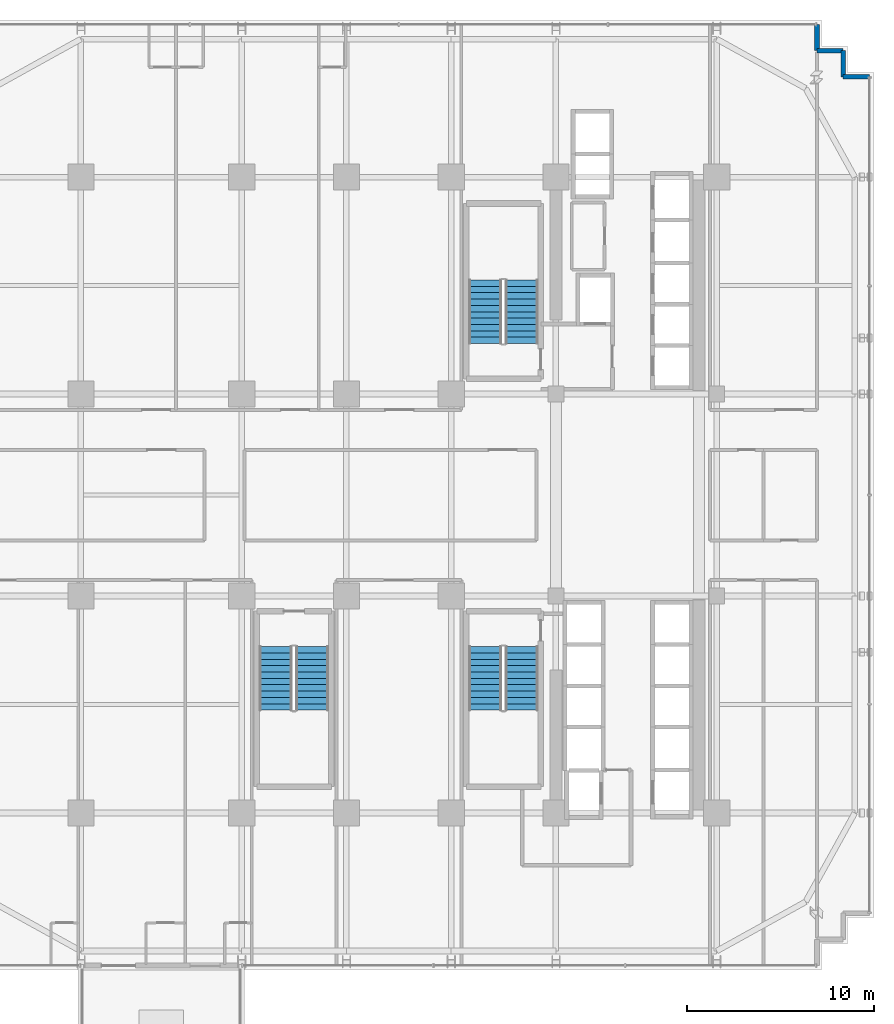
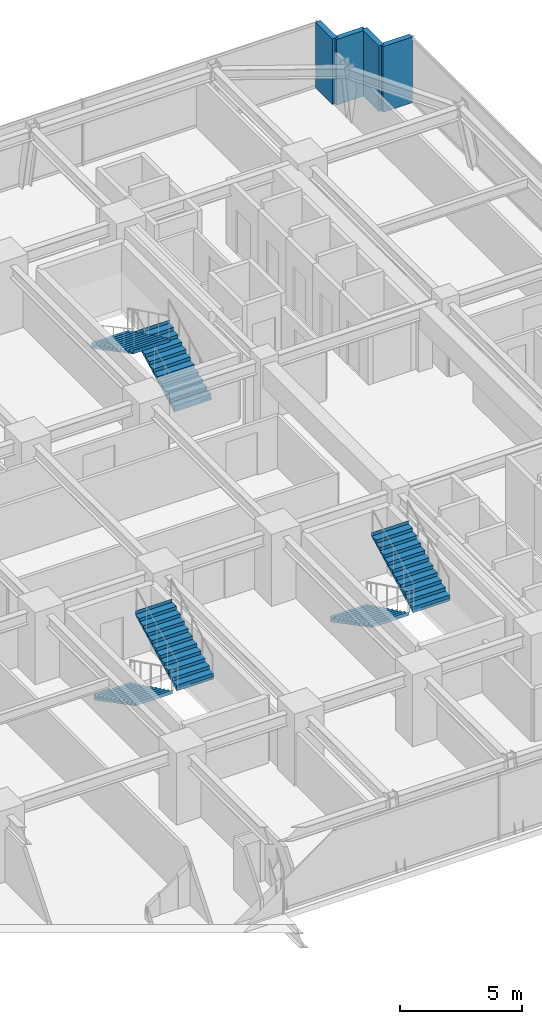
# One storey, part 32 of 35: 6 stair flights, 4 walls, 3 elements without a shape of their own.
"""IFC4 building model written with IfcOpenShell, lengths in metres."""

from ifc_helpers import new_model, si_unit, direction, frame, frame_2d, origin, place, context, subcontext, project, spatial, polyline, rectangle, outline, extrude, source, transform, mapped, material, layer, layer_set, type_object, element, aggregate, save


model = new_model("IFC4")

# Units and contexts
model_context = context("Model", 3, precision=1e-05, world=origin(), true_north=direction((0.0, 1.0)))
body_context = subcontext(model_context, "Body", "Model", "MODEL_VIEW")
ifc_project = project(units=[si_unit("LENGTHUNIT", "METRE"), si_unit("AREAUNIT", "SQUARE_METRE"), si_unit("VOLUMEUNIT", "CUBIC_METRE"), si_unit("PLANEANGLEUNIT", "RADIAN"), si_unit("MASSUNIT", "GRAM", prefix="KILO")], contexts=[model_context])

# Site, building, storey
site_placement = place(None, origin())
site = spatial("IfcSite", under=ifc_project, at=site_placement, CompositionType="ELEMENT")
building_placement = place(site_placement, origin())
building = spatial("IfcBuilding", under=site, at=building_placement, Name="Nahalor Promenade Grand Hotel", CompositionType="ELEMENT")
storey_placement = place(building_placement, frame((0.0, 0.0, 79.85009765625)))
storey = spatial("IfcBuildingStorey", under=building, at=storey_placement, Name="L19", CompositionType="ELEMENT", Elevation=79.85009765625)

# Walls
ifc_material_1 = material(Name="Concrete B-40 (C32/40)", Category="concrete")
ifc_layer_1 = layer(ifc_material_1, 0.25)
ifc_layer_set_1 = layer_set([ifc_layer_1], Name="Concrete B-40 (C32/40)")
wall_type = type_object("IfcWallType", Name="Wall-BronzePier-250", PredefinedType="STANDARD", material=ifc_layer_set_1)
shared_shape_1 = source(origin(), body_context, "Body", "SweptSolid", [
    extrude(rectangle(XDim=1.39990234375, YDim=0.25, at=frame_2d((0.699951171875, 0.0))), origin(), (0.0, 0.0, 1.0), 3.289794921875),
])
for number, where, z_axis, x_axis, name in (
    (1, (23.760009765625, 22.360107421875, 0.0), (0.0, 0.0, 1.0), (1.0, 0.0, 0.0), "W-L19-SR-05"),
    (2, (23.760009765625, 22.360107421875, 0.0), (0.0, 0.0, 1.0), (0.0, 1.0, 0.0), "W-L19-SR-06"),
    (3, (22.360107421875, 23.760009765625, 0.0), (0.0, 0.0, 1.0), (1.0, 0.0, 0.0), "W-L19-SR-07"),
    (4, (22.360107421875, 23.760009765625, 0.0), (0.0, 0.0, 1.0), (0.0, 1.0, 0.0), "W-L19-SR-08"),
):
    element("IfcWall", number, at=place(storey_placement, frame(where, z_axis=z_axis, x_axis=x_axis)), inside=storey, type_object=wall_type, Name=name, PredefinedType="STANDARD", context=body_context, shape_type="MappedRepresentation", body=[
        mapped(shared_shape_1, transform((0.0, 0.0, 0.0), scale=1.0)),
    ])

# Stair, stair flights
ifc_material_2 = material(Name="Concrete B-50 (C40/50)", Category="concrete")
stair_type_1 = type_object("IfcStairType", Name="Stair-ST1", PredefinedType="HALF_TURN_STAIR", material=ifc_material_2)
stair_1_placement = place(storey_placement, origin())
stair_1 = element("IfcStair", 5, at=stair_1_placement, inside=storey, type_object=stair_type_1, Name="L19 ST1", PredefinedType="HALF_TURN_STAIR")
ifc_layer_2 = layer(ifc_material_2, 0.179931640625)
ifc_layer_set_2 = layer_set([ifc_layer_2], Name="Concrete B-50 (C40/50)")
stair_flight_type_1 = type_object("IfcStairFlightType", Name="Flight-ST1", PredefinedType="STRAIGHT", material=ifc_layer_set_2)
shared_shape_2 = source(origin(), body_context, "Body", "SweptSolid", [
    extrude(outline(polyline([(-0.00390625, -0.1201171875), (-0.00390625, 0.0), (0.0, 0.0), (0.0, 0.166015625), (0.340087890625, 0.166015625), (0.340087890625, 0.331787109375), (0.679931640625, 0.331787109375), (0.679931640625, 0.497802734375), (1.02001953125, 0.497802734375), (1.02001953125, 0.66357421875), (1.360107421875, 0.66357421875), (1.360107421875, 0.82958984375), (1.699951171875, 0.82958984375), (1.699951171875, 0.995361328125), (2.0400390625, 0.995361328125), (2.0400390625, 1.161376953125), (2.3798828125, 1.161376953125), (2.3798828125, 1.327392578125), (2.719970703125, 1.327392578125), (2.719970703125, 1.4931640625), (3.06005859375, 1.4931640625), (3.06005859375, 1.6591796875), (3.39990234375, 1.6591796875), (3.39990234375, 1.824951171875), (3.404052734375, 1.824951171875), (3.404052734375, 1.64501953125), (0.02001953125, -0.1201171875), (-0.00390625, -0.1201171875)])), frame((0.0, 0.875, 0.0), z_axis=(0.0, -1.0, 0.0), x_axis=(1.0, 0.0, 0.0)), (0.0, 0.0, 1.0), 1.75),
])
stair_flight_1_placement = place(storey_placement, frame((6.574951171875, 8.10009765625, 0.0), z_axis=(0.0, 0.0, 1.0), x_axis=(0.0, 1.0, 0.0)))
stair_flight_1 = element("IfcStairFlight", 6, at=stair_flight_1_placement, type_object=stair_flight_type_1, Name="ST1 flight 1", NumberOfRisers=11, NumberOfTreads=10, PredefinedType="STRAIGHT", RiserHeight=0.165909091, TreadLength=0.34, context=body_context, shape_type="MappedRepresentation", body=[
    mapped(shared_shape_2, transform((0.0, 0.0, 0.0), scale=1.0)),
])
stair_flight_2_placement = place(storey_placement, frame((4.625, 11.5, 1.824951171875), z_axis=(0.0, 0.0, 1.0), x_axis=(0.0, -1.0, 0.0)))
stair_flight_2 = element("IfcStairFlight", 7, at=stair_flight_2_placement, type_object=stair_flight_type_1, Name="ST1 flight 2", NumberOfRisers=11, NumberOfTreads=10, PredefinedType="STRAIGHT", RiserHeight=0.165909091, TreadLength=0.34, context=body_context, shape_type="MappedRepresentation", body=[
    mapped(shared_shape_2, transform((0.0, 0.0, 0.0), scale=1.0)),
])
aggregate(stair_1, [stair_flight_1, stair_flight_2])

stair_type_2 = type_object("IfcStairType", Name="Stair-ST2", PredefinedType="HALF_TURN_STAIR", material=ifc_material_2)
stair_2_placement = place(storey_placement, origin())
stair_2 = element("IfcStair", 8, at=stair_2_placement, inside=storey, type_object=stair_type_2, Name="L19 ST2", PredefinedType="HALF_TURN_STAIR")
ifc_layer_3 = layer(ifc_material_2, 0.18994140625)
ifc_layer_set_3 = layer_set([ifc_layer_3], Name="Concrete B-50 (C40/50)")
stair_flight_type_2 = type_object("IfcStairFlightType", Name="Flight-ST2", PredefinedType="STRAIGHT", material=ifc_layer_set_3)
shared_shape_3 = source(origin(), body_context, "Body", "SweptSolid", [
    extrude(outline(polyline([(-0.00390625, -0.1201171875), (-0.00390625, 0.0), (0.0, 0.0), (0.0, 0.166015625), (0.340087890625, 0.166015625), (0.340087890625, 0.331787109375), (0.679931640625, 0.331787109375), (0.679931640625, 0.497802734375), (1.02001953125, 0.497802734375), (1.02001953125, 0.66357421875), (1.360107421875, 0.66357421875), (1.360107421875, 0.82958984375), (1.699951171875, 0.82958984375), (1.699951171875, 0.995361328125), (2.0400390625, 0.995361328125), (2.0400390625, 1.161376953125), (2.3798828125, 1.161376953125), (2.3798828125, 1.327392578125), (2.719970703125, 1.327392578125), (2.719970703125, 1.4931640625), (3.06005859375, 1.4931640625), (3.06005859375, 1.6591796875), (3.39990234375, 1.6591796875), (3.39990234375, 1.824951171875), (3.404052734375, 1.824951171875), (3.404052734375, 1.64501953125), (0.02001953125, -0.1201171875), (-0.00390625, -0.1201171875)])), frame((0.0, 0.875, 0.0), z_axis=(0.0, -1.0, 0.0), x_axis=(1.0, 0.0, 0.0)), (0.0, 0.0, 1.0), 1.75),
])
stair_flight_3_placement = place(storey_placement, frame((4.625, -8.10009765625, 0.0), z_axis=(0.0, 0.0, 1.0), x_axis=(0.0, -1.0, 0.0)))
stair_flight_3 = element("IfcStairFlight", 9, at=stair_flight_3_placement, type_object=stair_flight_type_2, Name="ST2 flight 1", NumberOfRisers=11, NumberOfTreads=10, PredefinedType="STRAIGHT", RiserHeight=0.165909091, TreadLength=0.34, context=body_context, shape_type="MappedRepresentation", body=[
    mapped(shared_shape_3, transform((0.0, 0.0, 0.0), scale=1.0)),
])
stair_flight_4_placement = place(storey_placement, frame((6.574951171875, -11.5, 1.824951171875), z_axis=(0.0, 0.0, 1.0), x_axis=(0.0, 1.0, 0.0)))
stair_flight_4 = element("IfcStairFlight", 10, at=stair_flight_4_placement, type_object=stair_flight_type_2, Name="ST2 flight 2", NumberOfRisers=11, NumberOfTreads=10, PredefinedType="STRAIGHT", RiserHeight=0.165909091, TreadLength=0.34, context=body_context, shape_type="MappedRepresentation", body=[
    mapped(shared_shape_3, transform((0.0, 0.0, 0.0), scale=1.0)),
])
aggregate(stair_2, [stair_flight_3, stair_flight_4])

stair_type_3 = type_object("IfcStairType", Name="Stair-ST3", PredefinedType="HALF_TURN_STAIR", material=ifc_material_2)
stair_3_placement = place(storey_placement, origin())
stair_3 = element("IfcStair", 11, at=stair_3_placement, inside=storey, type_object=stair_type_3, Name="L19 ST3", PredefinedType="HALF_TURN_STAIR")
ifc_layer_4 = layer(ifc_material_2, 0.199951171875)
ifc_layer_set_4 = layer_set([ifc_layer_4], Name="Concrete B-50 (C40/50)")
stair_flight_type_3 = type_object("IfcStairFlightType", Name="Flight-ST3", PredefinedType="STRAIGHT", material=ifc_layer_set_4)
shared_shape_4 = source(origin(), body_context, "Body", "SweptSolid", [
    extrude(outline(polyline([(-0.00390625, -0.1201171875), (-0.00390625, 0.0), (0.0, 0.0), (0.0, 0.166015625), (0.340087890625, 0.166015625), (0.340087890625, 0.331787109375), (0.679931640625, 0.331787109375), (0.679931640625, 0.497802734375), (1.02001953125, 0.497802734375), (1.02001953125, 0.66357421875), (1.360107421875, 0.66357421875), (1.360107421875, 0.82958984375), (1.699951171875, 0.82958984375), (1.699951171875, 0.995361328125), (2.0400390625, 0.995361328125), (2.0400390625, 1.161376953125), (2.3798828125, 1.161376953125), (2.3798828125, 1.327392578125), (2.719970703125, 1.327392578125), (2.719970703125, 1.4931640625), (3.06005859375, 1.4931640625), (3.06005859375, 1.6591796875), (3.39990234375, 1.6591796875), (3.39990234375, 1.824951171875), (3.404052734375, 1.824951171875), (3.404052734375, 1.64501953125), (0.02001953125, -0.1201171875), (-0.00390625, -0.1201171875)])), frame((0.0, 0.875, 0.0), z_axis=(0.0, -1.0, 0.0), x_axis=(1.0, 0.0, 0.0)), (0.0, 0.0, 1.0), 1.75),
])
stair_flight_5_placement = place(storey_placement, frame((-6.574951171875, -8.10009765625, 0.0), z_axis=(0.0, 0.0, 1.0), x_axis=(0.0, -1.0, 0.0)))
stair_flight_5 = element("IfcStairFlight", 12, at=stair_flight_5_placement, type_object=stair_flight_type_3, Name="ST3 flight 1", NumberOfRisers=11, NumberOfTreads=10, PredefinedType="STRAIGHT", RiserHeight=0.165909091, TreadLength=0.34, context=body_context, shape_type="MappedRepresentation", body=[
    mapped(shared_shape_4, transform((0.0, 0.0, 0.0), scale=1.0)),
])
stair_flight_6_placement = place(storey_placement, frame((-4.625, -11.5, 1.824951171875), z_axis=(0.0, 0.0, 1.0), x_axis=(0.0, 1.0, 0.0)))
stair_flight_6 = element("IfcStairFlight", 13, at=stair_flight_6_placement, type_object=stair_flight_type_3, Name="ST3 flight 2", NumberOfRisers=11, NumberOfTreads=10, PredefinedType="STRAIGHT", RiserHeight=0.165909091, TreadLength=0.34, context=body_context, shape_type="MappedRepresentation", body=[
    mapped(shared_shape_4, transform((0.0, 0.0, 0.0), scale=1.0)),
])
aggregate(stair_3, [stair_flight_5, stair_flight_6])

save(model, "model.ifc")
